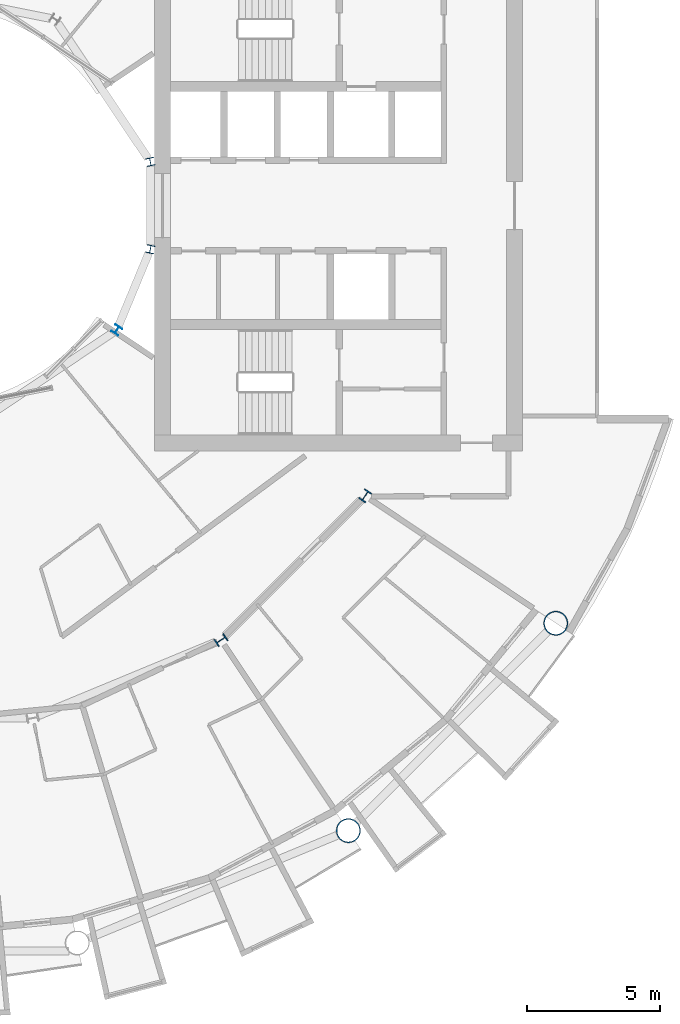
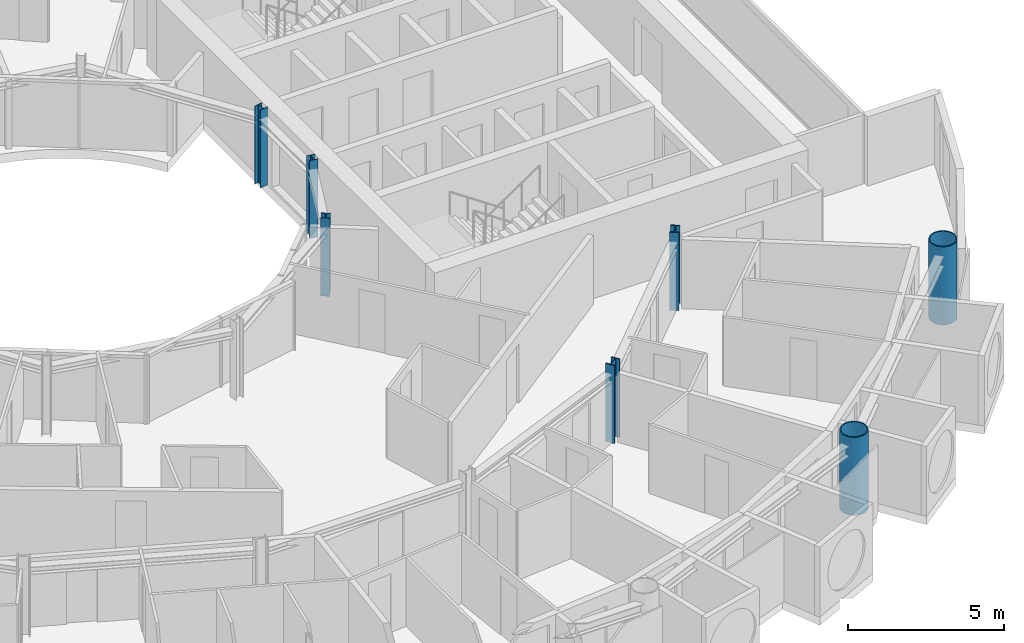
# One storey, part 2 of 27: 7 columns.
"""IFC4 building model written with IfcOpenShell, lengths in metres."""

from ifc_helpers import new_model, si_unit, direction, frame, origin, origin_2d, place, context, subcontext, project, spatial, hollow_circle, i_section, extrude, material, material_profile, profile_set, type_object, element, save


model = new_model("IFC4")

# Units and contexts
model_context = context("Model", 3, precision=1e-05, world=origin(), true_north=direction((0.0, 1.0)))
body_context = subcontext(model_context, "Body", "Model", "MODEL_VIEW")
ifc_project = project(units=[si_unit("LENGTHUNIT", "METRE"), si_unit("AREAUNIT", "SQUARE_METRE"), si_unit("VOLUMEUNIT", "CUBIC_METRE"), si_unit("PLANEANGLEUNIT", "RADIAN"), si_unit("MASSUNIT", "GRAM", prefix="KILO")], contexts=[model_context])

# Site, building, storey
site_placement = place(None, origin())
site = spatial("IfcSite", under=ifc_project, at=site_placement, CompositionType="ELEMENT")
building_placement = place(site_placement, origin())
building = spatial("IfcBuilding", under=site, at=building_placement, Name="Maasbend Ring Residences", CompositionType="ELEMENT")
storey_placement = place(building_placement, frame((0.0, 0.0, 117.75)))
storey = spatial("IfcBuildingStorey", under=building, at=storey_placement, Name="L33", CompositionType="ELEMENT", Elevation=117.75)

# Columns
ifc_material_1 = material(Name="Composite concrete-filled steel tube S460NH / C80/95", Category="concrete")
ifc_material_profile_1 = material_profile(ifc_material_1, hollow_circle(Radius=0.45703125, WallThickness=0.0400390625, at=origin_2d()), Name="Composite tube column CHS 914x40")
ifc_profile_set_1 = profile_set([ifc_material_profile_1], Name="Composite concrete-filled steel tube S460NH / C80/95")
column_type_1 = type_object("IfcColumnType", Name="Composite tube column CHS 914x40", PredefinedType="COLUMN", material=ifc_profile_set_1)
for number, where, z_axis, x_axis, name in (
    (1, (15.6669921875, -23.447509765625, 0.0), (0.0, 0.0, 1.0), (1.0, 0.0, 0.0), "Outer column R14"),
    (2, (23.447509765625, -15.6669921875, 0.0), (0.0, 0.0, 1.0), (1.0, 0.0, 0.0), "Outer column R15"),
):
    element("IfcColumn", number, at=place(storey_placement, frame(where, z_axis=z_axis, x_axis=x_axis)), inside=storey, type_object=column_type_1, Name=name, PredefinedType="COLUMN", context=body_context, shape_type="SweptSolid", body=[
        extrude(hollow_circle(Radius=0.45703125, WallThickness=0.0400390625, at=origin_2d()), origin(), (0.0, 0.0, 1.0), 3.050048828125),
    ])
ifc_material_2 = material(Name="Steel S355J2", Category="steel")
ifc_material_profile_2 = material_profile(ifc_material_2, i_section(OverallWidth=0.300048828125, OverallDepth=0.300048828125, WebThickness=0.010986328125, FlangeThickness=0.01904296875, FilletRadius=0.027099609375, at=origin_2d()), Name="HEB 300")
ifc_profile_set_2 = profile_set([ifc_material_profile_2], Name="Steel S355J2")
column_type_2 = type_object("IfcColumnType", Name="Steel column HEB 300", PredefinedType="COLUMN", material=ifc_profile_set_2)
for number, where, z_axis, x_axis, name in (
    (3, (8.238525390625, 1.638916015625, 0.0), (0.0, 0.0, 1.0), (0.980785280403, 0.195090322016, 0.0), "Well ring column R1"),
    (4, (6.984375, -4.666748046875, 0.0), (0.0, 0.0, 1.0), (0.831469612303, -0.55557023302, 0.0), "Well ring column R15"),
    (5, (8.238525390625, -1.638916015625, 0.0), (0.0, 0.0, 1.0), (0.980785280403, -0.195090322016, 0.0), "Well ring column R16"),
):
    element("IfcColumn", number, at=place(storey_placement, frame(where, z_axis=z_axis, x_axis=x_axis)), inside=storey, type_object=column_type_2, Name=name, PredefinedType="COLUMN", context=body_context, shape_type="SweptSolid", body=[
        extrude(i_section(OverallWidth=0.300048828125, OverallDepth=0.300048828125, WebThickness=0.010986328125, FlangeThickness=0.01904296875, FilletRadius=0.027099609375, at=origin_2d()), origin(), (0.0, 0.0, 1.0), 3.050048828125),
    ])
ifc_material_3 = material(Name="Steel S460M", Category="steel")
ifc_material_profile_3 = material_profile(ifc_material_3, i_section(OverallWidth=0.306884765625, OverallDepth=0.431884765625, WebThickness=0.02099609375, FlangeThickness=0.0400390625, FilletRadius=0.027099609375, at=origin_2d()), Name="HEM 400")
ifc_profile_set_3 = profile_set([ifc_material_profile_3], Name="Steel S460M")
column_type_3 = type_object("IfcColumnType", Name="Steel column HEM 400", PredefinedType="COLUMN", material=ifc_profile_set_3)
for number, where, z_axis, x_axis, name in (
    (6, (10.88916015625, -16.296875, 0.0), (0.0, 0.0, 1.0), (0.55557023302, -0.831469612303, 0.0), "Corridor ring column R14"),
    (7, (16.296875, -10.88916015625, 0.0), (0.0, 0.0, 1.0), (0.831469612303, -0.55557023302, 0.0), "Corridor ring column R15"),
):
    element("IfcColumn", number, at=place(storey_placement, frame(where, z_axis=z_axis, x_axis=x_axis)), inside=storey, type_object=column_type_3, Name=name, PredefinedType="COLUMN", context=body_context, shape_type="SweptSolid", body=[
        extrude(i_section(OverallWidth=0.306884765625, OverallDepth=0.431884765625, WebThickness=0.02099609375, FlangeThickness=0.0400390625, FilletRadius=0.027099609375, at=origin_2d()), origin(), (0.0, 0.0, 1.0), 3.050048828125),
    ])

save(model, "model.ifc")
